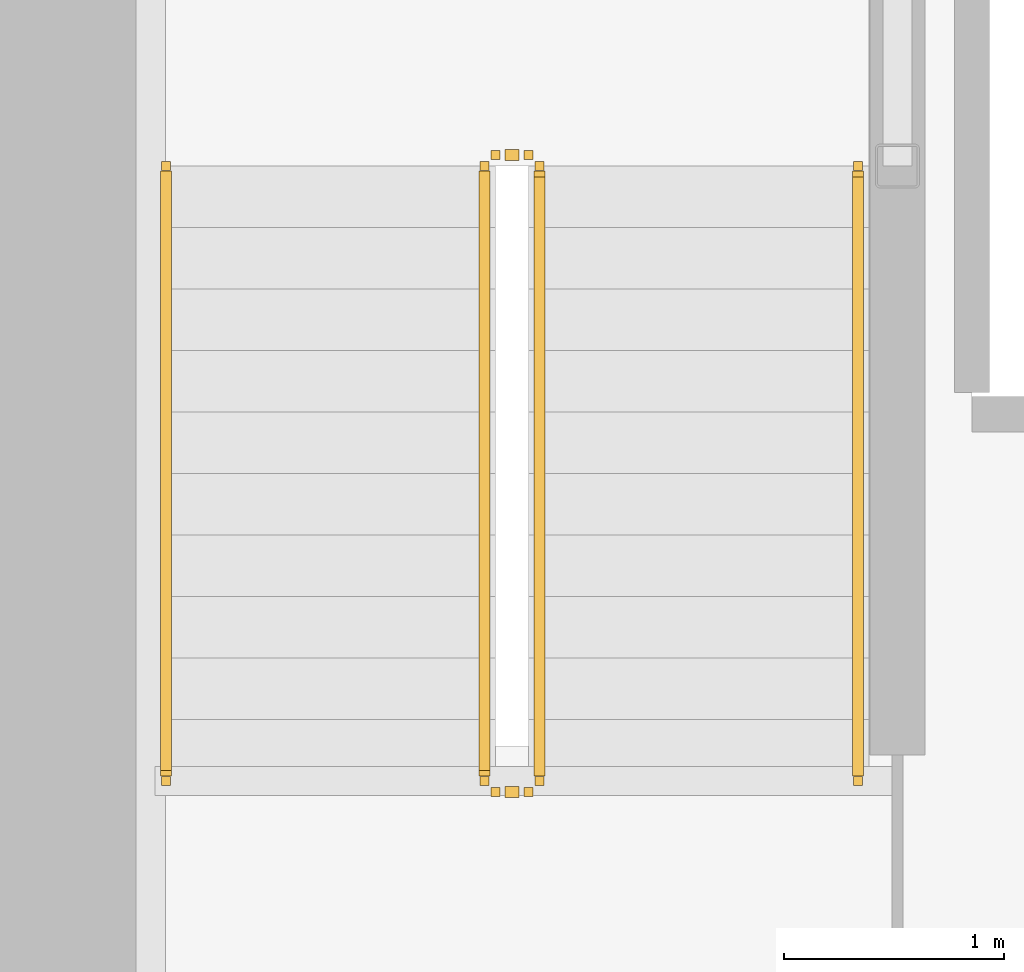
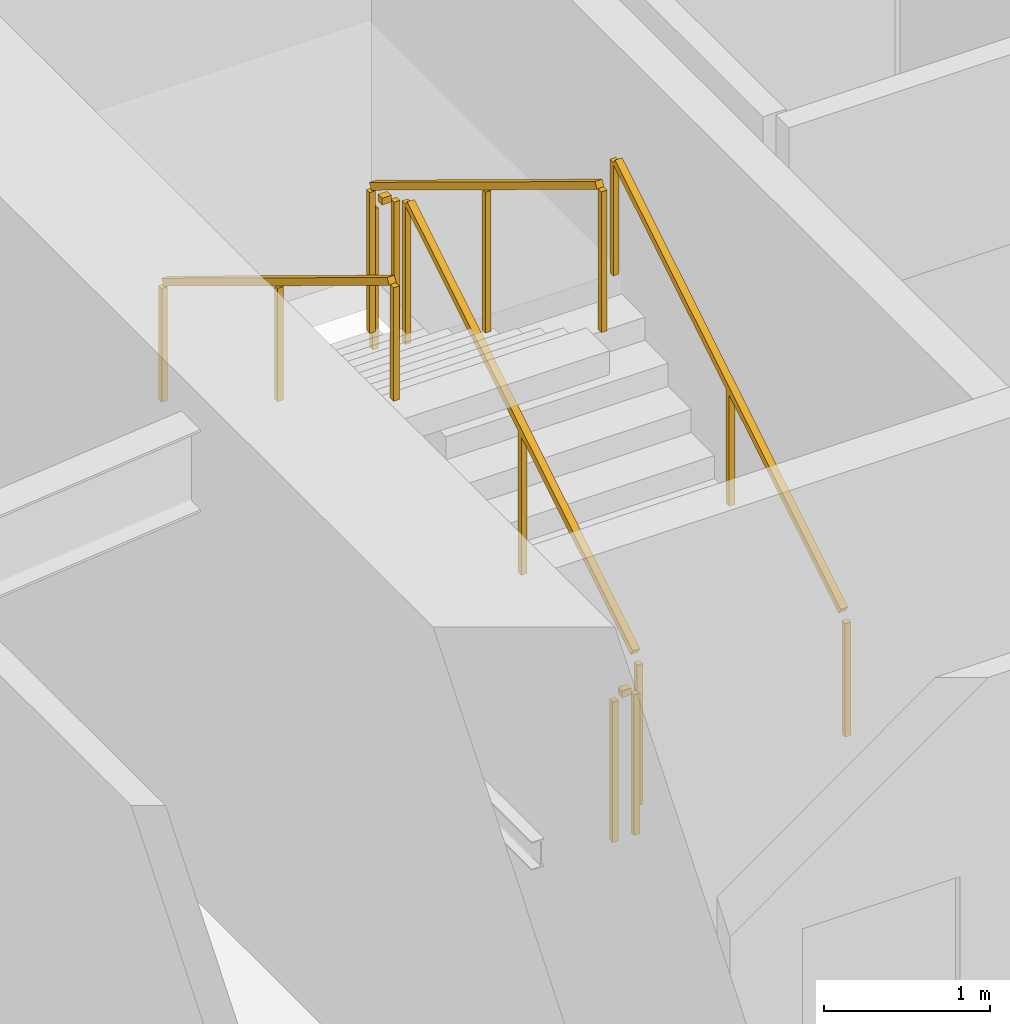
# One storey, part 26 of 31: 6 railings.
"""IFC4 building model written with IfcOpenShell, lengths in metres."""

from ifc_helpers import new_model, si_unit, direction, frame, origin, origin_2d, place, context, subcontext, project, spatial, rectangle, extrude, material, type_object, element, save


model = new_model("IFC4")

# Units and contexts
model_context = context("Model", 3, precision=1e-05, world=origin(), true_north=direction((0.0, 1.0)))
body_context = subcontext(model_context, "Body", "Model", "MODEL_VIEW")
ifc_project = project(units=[si_unit("LENGTHUNIT", "METRE"), si_unit("AREAUNIT", "SQUARE_METRE"), si_unit("VOLUMEUNIT", "CUBIC_METRE"), si_unit("PLANEANGLEUNIT", "RADIAN"), si_unit("MASSUNIT", "GRAM", prefix="KILO")], contexts=[model_context])

# Site, building, storey
site_placement = place(None, origin())
site = spatial("IfcSite", under=ifc_project, at=site_placement, CompositionType="ELEMENT")
building_placement = place(site_placement, origin())
building = spatial("IfcBuilding", under=site, at=building_placement, Name="Kazma Halo Residences", CompositionType="ELEMENT")
storey_placement = place(building_placement, frame((0.0, 0.0, 52.64990234375)))
storey = spatial("IfcBuildingStorey", under=building, at=storey_placement, Name="L12", CompositionType="ELEMENT", Elevation=52.64990234375)

# Railings
ifc_material_1 = material(Name="Painted Steel S355", Category="steel")
railing_type_1 = type_object("IfcRailingType", Name="RLG-STAIR-GRD-1100", PredefinedType="GUARDRAIL", material=ifc_material_1)
railing_1_placement = place(storey_placement, frame((39.550048828125, 39.949951171875, 0.170654296875)))
element("IfcRailing", 1, at=railing_1_placement, inside=storey, type_object=railing_type_1, Name="L12 ST-01 stair guard 1", PredefinedType="GUARDRAIL", context=body_context, shape_type="SweptSolid", body=[
    extrude(rectangle(XDim=0.050048828125, YDim=0.050048828125, at=origin_2d()), frame((0.0, 0.036376953125, 1.09716796875), z_axis=(0.0, 0.854202870247, 0.519939858505), x_axis=(-1.0, 0.0, 0.0)), (0.0, 0.0, 1.0), 3.19287109375),
    extrude(rectangle(XDim=0.0400390625, YDim=0.0400390625, at=origin_2d()), origin(), (0.0, 0.0, 1.0), 1.0380859375),
    extrude(rectangle(XDim=0.0400390625, YDim=0.0400390625, at=origin_2d()), frame((0.0, 1.39990234375, 0.85205078125)), (0.0, 0.0, 1.0), 1.0380859375),
    extrude(rectangle(XDim=0.0400390625, YDim=0.0400390625, at=origin_2d()), frame((0.0, 2.800048828125, 1.704345703125)), (0.0, 0.0, 1.0), 1.0380859375),
])
railing_2_placement = place(storey_placement, frame((39.5, 42.800048828125, 1.875)))
element("IfcRailing", 2, at=railing_2_placement, inside=storey, type_object=railing_type_1, Name="L12 ST-01 stair guard 2", PredefinedType="GUARDRAIL", context=body_context, shape_type="SweptSolid", body=[
    extrude(rectangle(XDim=0.050048828125, YDim=0.050048828125, at=origin_2d()), frame((-0.04248046875, 0.0, 1.0751953125), z_axis=(-1.0, 0.0, 0.0), x_axis=(0.0, -1.0, 0.0)), (0.0, 0.0, 1.0), 0.06494140625),
    extrude(rectangle(XDim=0.0400390625, YDim=0.0400390625, at=origin_2d()), origin(), (0.0, 0.0, 1.0), 1.0380859375),
    extrude(rectangle(XDim=0.0400390625, YDim=0.0400390625, at=origin_2d()), frame((-0.14990234375, 0.0, 0.0)), (0.0, 0.0, 1.0), 1.0380859375),
])
railing_3_placement = place(storey_placement, frame((39.300048828125, 42.75, 2.045654296875)))
element("IfcRailing", 3, at=railing_3_placement, inside=storey, type_object=railing_type_1, Name="L12 ST-01 stair guard 3", PredefinedType="GUARDRAIL", context=body_context, shape_type="SweptSolid", body=[
    extrude(rectangle(XDim=0.050048828125, YDim=0.050048828125, at=origin_2d()), frame((0.0, -0.036376953125, 1.09716796875), z_axis=(0.0, -0.854202870247, 0.519939858505), x_axis=(1.0, 0.0, 0.0)), (0.0, 0.0, 1.0), 3.19287109375),
    extrude(rectangle(XDim=0.0400390625, YDim=0.0400390625, at=origin_2d()), origin(), (0.0, 0.0, 1.0), 1.0380859375),
    extrude(rectangle(XDim=0.0400390625, YDim=0.0400390625, at=origin_2d()), frame((0.0, -1.39990234375, 0.85205078125)), (0.0, 0.0, 1.0), 1.0380859375),
    extrude(rectangle(XDim=0.0400390625, YDim=0.0400390625, at=origin_2d()), frame((0.0, -2.800048828125, 1.704345703125)), (0.0, 0.0, 1.0), 1.0380859375),
])
railing_4_placement = place(storey_placement, frame((39.5, 39.89990234375, 0.0)))
element("IfcRailing", 4, at=railing_4_placement, inside=storey, type_object=railing_type_1, Name="L12 ST-01 stair guard 4", PredefinedType="GUARDRAIL", context=body_context, shape_type="SweptSolid", body=[
    extrude(rectangle(XDim=0.050048828125, YDim=0.050048828125, at=origin_2d()), frame((-0.04248046875, 0.0, 1.0751953125), z_axis=(-1.0, 0.0, 0.0), x_axis=(0.0, -1.0, 0.0)), (0.0, 0.0, 1.0), 0.06494140625),
    extrude(rectangle(XDim=0.0400390625, YDim=0.0400390625, at=origin_2d()), origin(), (0.0, 0.0, 1.0), 1.0380859375),
    extrude(rectangle(XDim=0.0400390625, YDim=0.0400390625, at=origin_2d()), frame((-0.14990234375, 0.0, 0.0)), (0.0, 0.0, 1.0), 1.0380859375),
])
ifc_material_2 = material(Name="Brushed Stainless Steel", Category="steel")
railing_type_2 = type_object("IfcRailingType", Name="RLG-STAIR-HND-900", PredefinedType="HANDRAIL", material=ifc_material_2)
railing_5_placement = place(storey_placement, frame((41.0, 39.949951171875, 0.170654296875)))
element("IfcRailing", 5, at=railing_5_placement, inside=storey, type_object=railing_type_2, Name="L12 ST-01 stair handrail 1", PredefinedType="HANDRAIL", context=body_context, shape_type="SweptSolid", body=[
    extrude(rectangle(XDim=0.050048828125, YDim=0.050048828125, at=origin_2d()), frame((0.0, 0.036376953125, 0.89697265625), z_axis=(0.0, 0.854202870247, 0.519939858505), x_axis=(-1.0, 0.0, 0.0)), (0.0, 0.0, 1.0), 3.19287109375),
    extrude(rectangle(XDim=0.0400390625, YDim=0.0400390625, at=origin_2d()), origin(), (0.0, 0.0, 1.0), 0.837890625),
    extrude(rectangle(XDim=0.0400390625, YDim=0.0400390625, at=origin_2d()), frame((0.0, 1.39990234375, 0.85205078125)), (0.0, 0.0, 1.0), 0.837890625),
    extrude(rectangle(XDim=0.0400390625, YDim=0.0400390625, at=origin_2d()), frame((0.0, 2.800048828125, 1.704345703125)), (0.0, 0.0, 1.0), 0.837890625),
])
railing_6_placement = place(storey_placement, frame((37.85009765625, 42.75, 2.045654296875)))
element("IfcRailing", 6, at=railing_6_placement, inside=storey, type_object=railing_type_2, Name="L12 ST-01 stair handrail 2", PredefinedType="HANDRAIL", context=body_context, shape_type="SweptSolid", body=[
    extrude(rectangle(XDim=0.050048828125, YDim=0.050048828125, at=origin_2d()), frame((0.0, -0.036376953125, 0.89697265625), z_axis=(0.0, -0.854202870247, 0.519939858505), x_axis=(1.0, 0.0, 0.0)), (0.0, 0.0, 1.0), 3.19287109375),
    extrude(rectangle(XDim=0.0400390625, YDim=0.0400390625, at=origin_2d()), origin(), (0.0, 0.0, 1.0), 0.837890625),
    extrude(rectangle(XDim=0.0400390625, YDim=0.0400390625, at=origin_2d()), frame((0.0, -1.39990234375, 0.85205078125)), (0.0, 0.0, 1.0), 0.837890625),
    extrude(rectangle(XDim=0.0400390625, YDim=0.0400390625, at=origin_2d()), frame((0.0, -2.800048828125, 1.704345703125)), (0.0, 0.0, 1.0), 0.837890625),
])

save(model, "model.ifc")
